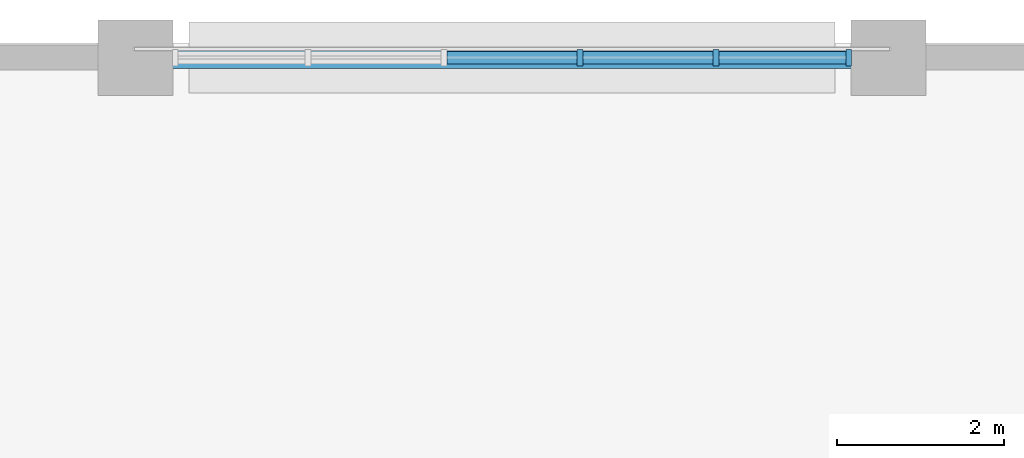
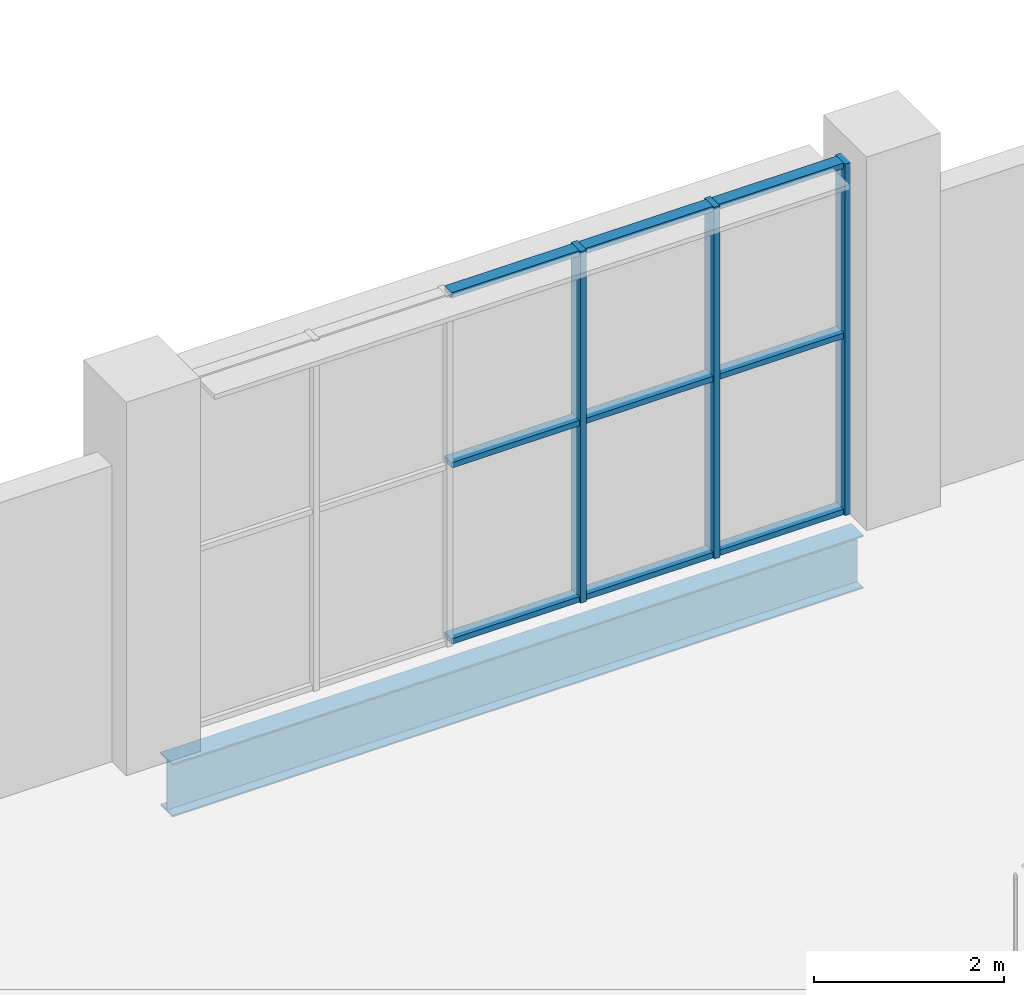
# One storey, part 67 of 183: 12 members, 1 beam, 1 element without a shape of its own.
"""IFC4 building model written with IfcOpenShell, lengths in metres."""

import ifcopenshell
import ifcopenshell.guid

model = None  # the IFC model being written
_history = None  # IfcOwnerHistory: only IFC2X3 demands one
_inside = {}  # id of a spatial element -> (the spatial element, [elements in it])
_under = {}  # id of a project, library or spatial element -> (it, [spatial elements below it])
_declared = {}  # id of a project -> (the project, [libraries it declares])
_typed = {}  # id of a type object -> (the type object, [elements of that type])
_made_of = {}  # id of a material, layer set ... -> (it, [elements and type objects made of it])


def new_model(schema):
    """Start an empty IFC model of exactly this schema.

    Asked for "IFC4X3", IfcOpenShell would pick the latest addendum, in which some entities
    have other attributes; the version numbers below select the first issue.
    IFC2X3 requires an IfcOwnerHistory on every rooted entity: one is made here for all.
    """
    global model, _history
    if schema == "IFC4X3":
        model = ifcopenshell.file(schema_version=(4, 3, 0, 0))
    else:
        model = ifcopenshell.file(schema=schema)
    _inside.clear()
    _under.clear()
    _declared.clear()
    _typed.clear()
    _made_of.clear()
    _history = None
    if model.schema == "IFC2X3":
        org = make("IfcOrganization", Name="unknown")
        user = make(
            "IfcPersonAndOrganization",
            ThePerson=make("IfcPerson", FamilyName="unknown"),
            TheOrganization=org,
        )
        app = make(
            "IfcApplication",
            ApplicationDeveloper=org,
            Version="unknown",
            ApplicationFullName="unknown",
            ApplicationIdentifier="unknown",
        )
        _history = make(
            "IfcOwnerHistory",
            OwningUser=user,
            OwningApplication=app,
            ChangeAction="ADDED",
            CreationDate=0,
        )
    return model


def make(cls, **values):
    """One entity of the class cls with the attributes given. An attribute that is None is left unset."""
    return model.create_entity(
        cls, **{name: value for name, value in values.items() if value is not None}
    )


def rooted(cls, **values):
    """An entity with a GlobalId (a new one), such as an element, a storey or a relation."""
    return make(cls, GlobalId=ifcopenshell.guid.new(), OwnerHistory=_history, **values)


def si_unit(unit_type, name, prefix=None):
    """IfcSIUnit, for example si_unit("LENGTHUNIT", "METRE", prefix="MILLI")."""
    return make("IfcSIUnit", UnitType=unit_type, Prefix=prefix, Name=name)


def assignment(units):
    """IfcUnitAssignment: the units of a project."""
    return None if units is None else make("IfcUnitAssignment", Units=units)


def point(xyz):
    """IfcCartesianPoint."""
    return None if xyz is None else make("IfcCartesianPoint", Coordinates=xyz)


def direction(xyz):
    """IfcDirection."""
    return None if xyz is None else make("IfcDirection", DirectionRatios=xyz)


def frame(location, z_axis=None, x_axis=None):
    """IfcAxis2Placement3D, a coordinate frame: its origin and axes. An axis left out is left unset."""
    return make(
        "IfcAxis2Placement3D",
        Location=point(location),
        Axis=direction(z_axis),
        RefDirection=direction(x_axis),
    )


def frame_2d(location, x_axis=None):
    """IfcAxis2Placement2D, a coordinate frame in the plane: its origin and x axis."""
    return make(
        "IfcAxis2Placement2D", Location=point(location), RefDirection=direction(x_axis)
    )


def origin():
    """The frame at (0, 0, 0) with its axes left unset."""
    return frame((0.0, 0.0, 0.0))


def origin_2d():
    """The frame at (0, 0) in the plane with its x axis left unset."""
    return frame_2d((0.0, 0.0))


def place(relative_to, where):
    """IfcLocalPlacement: puts the frame where relative to a parent placement (None: the world)."""
    return make(
        "IfcLocalPlacement", PlacementRelTo=relative_to, RelativePlacement=where
    )


def context(
    kind, dimensions, precision=None, world=None, true_north=None, identifier=None
):
    """IfcGeometricRepresentationContext, for example the 3D "Model" context."""
    return make(
        "IfcGeometricRepresentationContext",
        ContextIdentifier=identifier,
        ContextType=kind,
        CoordinateSpaceDimension=dimensions,
        Precision=precision,
        WorldCoordinateSystem=world,
        TrueNorth=true_north,
    )


def subcontext(parent, identifier, kind, view, scale=None):
    """IfcGeometricRepresentationSubContext, for example "Body" below "Model"."""
    return make(
        "IfcGeometricRepresentationSubContext",
        ContextIdentifier=identifier,
        ContextType=kind,
        ParentContext=parent,
        TargetScale=scale,
        TargetView=view,
    )


def project(units=None, contexts=None):
    """IfcProject with its units and contexts."""
    return rooted(
        "IfcProject",
        Name="project",
        RepresentationContexts=contexts,
        UnitsInContext=assignment(units),
    )


def spatial(cls, under=None, at=None, **own):
    """A site, building, storey or space (cls), placed at a placement, below another one or the project."""
    s = rooted(cls, ObjectPlacement=at, **own)
    if under is not None:
        _under.setdefault(under.id(), (under, []))[1].append(s)
    return s


def profile(cls, at=None, kind="AREA", **sizes):
    """A parametric profile (cls). Its sizes go by their IFC names, for example OverallWidth=200.0."""
    return make(cls, ProfileType=kind, Position=at, **sizes)


def rectangle(**sizes):
    """IfcRectangleProfileDef."""
    return profile("IfcRectangleProfileDef", **sizes)


def i_section(**sizes):
    """IfcIShapeProfileDef."""
    return profile("IfcIShapeProfileDef", **sizes)


def extrude(swept, where, along, depth):
    """IfcExtrudedAreaSolid: the profile swept, set in the frame where, extruded along a direction by depth."""
    return make(
        "IfcExtrudedAreaSolid",
        SweptArea=swept,
        Position=where,
        ExtrudedDirection=direction(along),
        Depth=depth,
    )


def shape(context_of_items, identifier, shape_type, items):
    """IfcShapeRepresentation: the items that make up one representation, for example the "Body"."""
    return make(
        "IfcShapeRepresentation",
        ContextOfItems=context_of_items,
        RepresentationIdentifier=identifier,
        RepresentationType=shape_type,
        Items=items,
    )


def material(Name=None, Category=None):
    """IfcMaterial."""
    return make("IfcMaterial", Name=Name, Category=Category)


def material_profile(
    of_material, cross_section, Name=None, Category=None, Priority=None
):
    """IfcMaterialProfile: a cross section and its material."""
    return make(
        "IfcMaterialProfile",
        Name=Name,
        Material=of_material,
        Profile=cross_section,
        Priority=Priority,
        Category=Category,
    )


def profile_set(profiles, Name=None, composite=None):
    """IfcMaterialProfileSet."""
    return make(
        "IfcMaterialProfileSet",
        Name=Name,
        MaterialProfiles=profiles,
        CompositeProfile=composite,
    )


def made_of(thing, what):
    """Note that an element or type object is made of a material, layer set ...; save() writes the relation."""
    if what is not None:
        _made_of.setdefault(what.id(), (what, []))[1].append(thing)
    return thing


def type_object(cls, material=None, **own):
    """A type object (cls), such as IfcWallType, which elements share."""
    return made_of(rooted(cls, **own), material)


def element(
    cls,
    number,
    at=None,
    inside=None,
    cuts=None,
    type_object=None,
    material=None,
    context=None,
    identifier="Body",
    shape_type=None,
    held_by="IfcProductDefinitionShape",
    body=None,
    shapes=None,
    **own,
):
    """One element of the class cls, such as IfcWall. Its Tag is "e" and its number.

    at: its placement. inside: the storey or other place that contains it. cuts: it is an
    opening in that element (IfcRelVoidsElement). A single representation is given by context,
    identifier, shape_type and body (its items); several are given by shapes. held_by: the class
    of the entity that holds the representations. save() writes the other relations.
    """
    e = rooted(cls, Tag="e%d" % number, ObjectPlacement=at, **own)
    if body is not None:
        shapes = [shape(context, identifier, shape_type, body)]
    if shapes is not None:
        e.Representation = make(held_by, Representations=shapes)
    if inside is not None:
        _inside.setdefault(inside.id(), (inside, []))[1].append(e)
    if cuts is not None:
        rooted(
            "IfcRelVoidsElement", RelatingBuildingElement=cuts, RelatedOpeningElement=e
        )
    if type_object is not None:
        _typed.setdefault(type_object.id(), (type_object, []))[1].append(e)
    return made_of(e, material)


def aggregate(whole, parts):
    """IfcRelAggregates: a whole, such as a stair, and the parts it consists of."""
    return rooted("IfcRelAggregates", RelatingObject=whole, RelatedObjects=parts)


def save(model, path):
    """Write the relations noted so far, then the file.

    IfcRelAggregates (storeys below a building ...), IfcRelContainedInSpatialStructure (elements
    in a storey), IfcRelDefinesByType, IfcRelAssociatesMaterial and IfcRelDeclares: one each for
    every whole, place, type object, material and project.
    """
    for whole, parts in _under.values():
        aggregate(whole, parts)
    for where, things in _inside.values():
        rooted(
            "IfcRelContainedInSpatialStructure",
            RelatedElements=things,
            RelatingStructure=where,
        )
    for kind, things in _typed.values():
        rooted("IfcRelDefinesByType", RelatedObjects=things, RelatingType=kind)
    for what, things in _made_of.values():
        rooted("IfcRelAssociatesMaterial", RelatedObjects=things, RelatingMaterial=what)
    for by, libraries in _declared.values():
        rooted("IfcRelDeclares", RelatingContext=by, RelatedDefinitions=libraries)
    model.write(path)


model = new_model("IFC4")

# Units and contexts
model_context = context("Model", 3, precision=1e-05, world=origin(), true_north=direction((0.0, 1.0)))
body_context = subcontext(model_context, "Body", "Model", "MODEL_VIEW")
ifc_project = project(units=[si_unit("LENGTHUNIT", "METRE"), si_unit("AREAUNIT", "SQUARE_METRE"), si_unit("VOLUMEUNIT", "CUBIC_METRE"), si_unit("PLANEANGLEUNIT", "RADIAN"), si_unit("MASSUNIT", "GRAM", prefix="KILO")], contexts=[model_context])

# Site, building, storey
site_placement = place(None, origin())
site = spatial("IfcSite", under=ifc_project, at=site_placement, CompositionType="ELEMENT")
building_placement = place(site_placement, origin())
building = spatial("IfcBuilding", under=site, at=building_placement, Name="Zevraka Park Crest Stadium", CompositionType="ELEMENT")
storey_placement = place(building_placement, frame((0.0, 0.0, 5.39990234375)))
storey = spatial("IfcBuildingStorey", under=building, at=storey_placement, Name="L01", CompositionType="ELEMENT", Elevation=5.39990234375)

# Beam
ifc_material_1 = material(Name="Steel S355", Category="steel")
ifc_material_profile_1 = material_profile(ifc_material_1, i_section(OverallWidth=0.253662109375, OverallDepth=0.68359375, WebThickness=0.012451171875, FlangeThickness=0.01904296875, at=origin_2d()), Name="UKB 686x254x140")
ifc_profile_set_1 = profile_set([ifc_material_profile_1], Name="Steel S355")
beam_type = type_object("IfcBeamType", Name="BG05", PredefinedType="BEAM", material=ifc_profile_set_1)
beam_placement = place(storey_placement, frame((179.300048828125, 184.0, -0.649658203125), z_axis=(1.0, 0.0, 0.0), x_axis=(0.0, 1.0, 0.0)))
element("IfcBeam", 1, at=beam_placement, inside=storey, type_object=beam_type, Name="Wing Girder BG05 L01-2021/W", PredefinedType="BEAM", context=body_context, shape_type="SweptSolid", body=[
    extrude(i_section(OverallWidth=0.253662109375, OverallDepth=0.68359375, WebThickness=0.012451171875, FlangeThickness=0.01904296875, at=origin_2d()), origin(), (0.0, 0.0, 1.0), 8.39990234375),
])

# Curtain wall, members
ifc_material_2 = material(Name="Anodised architectural aluminium and laminated safety glass", Category="aluminium")
curtain_wall_type = type_object("IfcCurtainWallType", Name="CW30", PredefinedType="NOTDEFINED", material=ifc_material_2)
curtain_wall_placement = place(storey_placement, origin())
curtain_wall = element("IfcCurtainWall", 2, at=curtain_wall_placement, inside=storey, type_object=curtain_wall_type, Name="Wing Curtain Wall CW30 L01-NGATE-N-4", PredefinedType="NOTDEFINED")
ifc_material_3 = material(Name="Anodised architectural aluminium", Category="aluminium")
ifc_material_profile_2 = material_profile(ifc_material_3, rectangle(XDim=0.199951171875, YDim=0.070068359375, at=origin_2d()), Name="ALU MULLION 200x70")
ifc_profile_set_2 = profile_set([ifc_material_profile_2], Name="Anodised architectural aluminium")
member_type_1 = type_object("IfcMemberType", Name="CM03", PredefinedType="MULLION", material=ifc_profile_set_2)
member_1_placement = place(storey_placement, frame((184.31201171875, 184.0, 0.0), z_axis=(0.0, 0.0, 1.0), x_axis=(0.0, 1.0, 0.0)))
member_1 = element("IfcMember", 3, at=member_1_placement, type_object=member_type_1, Name="CW30 mullion 4", PredefinedType="MULLION", context=body_context, shape_type="SweptSolid", body=[
    extrude(rectangle(XDim=0.199951171875, YDim=0.070068359375, at=origin_2d()), origin(), (0.0, 0.0, 1.0), 4.52001953125),
])
member_2_placement = place(storey_placement, frame((185.93603515625, 184.0, 0.0), z_axis=(0.0, 0.0, 1.0), x_axis=(0.0, 1.0, 0.0)))
member_2 = element("IfcMember", 4, at=member_2_placement, type_object=member_type_1, Name="CW30 mullion 5", PredefinedType="MULLION", context=body_context, shape_type="SweptSolid", body=[
    extrude(rectangle(XDim=0.199951171875, YDim=0.070068359375, at=origin_2d()), origin(), (0.0, 0.0, 1.0), 4.52001953125),
])
member_3_placement = place(storey_placement, frame((187.52490234375, 184.0, 0.0), z_axis=(0.0, 0.0, 1.0), x_axis=(0.0, 1.0, 0.0)))
member_3 = element("IfcMember", 5, at=member_3_placement, type_object=member_type_1, Name="CW30 mullion 6", PredefinedType="MULLION", context=body_context, shape_type="SweptSolid", body=[
    extrude(rectangle(XDim=0.199951171875, YDim=0.070068359375, at=origin_2d()), origin(), (0.0, 0.0, 1.0), 4.52001953125),
])
ifc_material_4 = material(Name="Anodised architectural aluminium", Category="aluminium")
ifc_material_profile_3 = material_profile(ifc_material_4, rectangle(XDim=0.14990234375, YDim=0.070068359375, at=origin_2d()), Name="ALU TRANSOM 150x70")
ifc_profile_set_3 = profile_set([ifc_material_profile_3], Name="Anodised architectural aluminium")
member_type_2 = type_object("IfcMemberType", Name="CT03", PredefinedType="USERDEFINED", material=ifc_profile_set_3)
member_4_placement = place(storey_placement, frame((182.722900390625, 184.0, 0.03515625), z_axis=(1.0, 0.0, 0.0), x_axis=(0.0, 1.0, 0.0)))
member_4 = element("IfcMember", 6, at=member_4_placement, type_object=member_type_2, Name="CW30 transom 3.1", ObjectType="TRANSOM", PredefinedType="USERDEFINED", context=body_context, shape_type="SweptSolid", body=[
    extrude(rectangle(XDim=0.14990234375, YDim=0.070068359375, at=origin_2d()), origin(), (0.0, 0.0, 1.0), 1.55419921875),
])
member_5_placement = place(storey_placement, frame((182.722900390625, 184.0, 2.300048828125), z_axis=(1.0, 0.0, 0.0), x_axis=(0.0, 1.0, 0.0)))
member_5 = element("IfcMember", 7, at=member_5_placement, type_object=member_type_2, Name="CW30 transom 3.2", ObjectType="TRANSOM", PredefinedType="USERDEFINED", context=body_context, shape_type="SweptSolid", body=[
    extrude(rectangle(XDim=0.14990234375, YDim=0.070068359375, at=origin_2d()), origin(), (0.0, 0.0, 1.0), 1.55419921875),
])
member_6_placement = place(storey_placement, frame((182.722900390625, 184.0, 4.485107421875), z_axis=(1.0, 0.0, 0.0), x_axis=(0.0, 1.0, 0.0)))
member_6 = element("IfcMember", 8, at=member_6_placement, type_object=member_type_2, Name="CW30 transom 3.3", ObjectType="TRANSOM", PredefinedType="USERDEFINED", context=body_context, shape_type="SweptSolid", body=[
    extrude(rectangle(XDim=0.14990234375, YDim=0.070068359375, at=origin_2d()), origin(), (0.0, 0.0, 1.0), 1.55419921875),
])
member_7_placement = place(storey_placement, frame((184.346923828125, 184.0, 0.03515625), z_axis=(1.0, 0.0, 0.0), x_axis=(0.0, 1.0, 0.0)))
member_7 = element("IfcMember", 9, at=member_7_placement, type_object=member_type_2, Name="CW30 transom 4.1", ObjectType="TRANSOM", PredefinedType="USERDEFINED", context=body_context, shape_type="SweptSolid", body=[
    extrude(rectangle(XDim=0.14990234375, YDim=0.070068359375, at=origin_2d()), origin(), (0.0, 0.0, 1.0), 1.553955078125),
])
member_8_placement = place(storey_placement, frame((184.346923828125, 184.0, 2.300048828125), z_axis=(1.0, 0.0, 0.0), x_axis=(0.0, 1.0, 0.0)))
member_8 = element("IfcMember", 10, at=member_8_placement, type_object=member_type_2, Name="CW30 transom 4.2", ObjectType="TRANSOM", PredefinedType="USERDEFINED", context=body_context, shape_type="SweptSolid", body=[
    extrude(rectangle(XDim=0.14990234375, YDim=0.070068359375, at=origin_2d()), origin(), (0.0, 0.0, 1.0), 1.553955078125),
])
member_9_placement = place(storey_placement, frame((184.346923828125, 184.0, 4.485107421875), z_axis=(1.0, 0.0, 0.0), x_axis=(0.0, 1.0, 0.0)))
member_9 = element("IfcMember", 11, at=member_9_placement, type_object=member_type_2, Name="CW30 transom 4.3", ObjectType="TRANSOM", PredefinedType="USERDEFINED", context=body_context, shape_type="SweptSolid", body=[
    extrude(rectangle(XDim=0.14990234375, YDim=0.070068359375, at=origin_2d()), origin(), (0.0, 0.0, 1.0), 1.553955078125),
])
member_10_placement = place(storey_placement, frame((185.970947265625, 184.0, 0.03515625), z_axis=(1.0, 0.0, 0.0), x_axis=(0.0, 1.0, 0.0)))
member_10 = element("IfcMember", 12, at=member_10_placement, type_object=member_type_2, Name="CW30 transom 5.1", ObjectType="TRANSOM", PredefinedType="USERDEFINED", context=body_context, shape_type="SweptSolid", body=[
    extrude(rectangle(XDim=0.14990234375, YDim=0.070068359375, at=origin_2d()), origin(), (0.0, 0.0, 1.0), 1.51904296875),
])
member_11_placement = place(storey_placement, frame((185.970947265625, 184.0, 2.300048828125), z_axis=(1.0, 0.0, 0.0), x_axis=(0.0, 1.0, 0.0)))
member_11 = element("IfcMember", 13, at=member_11_placement, type_object=member_type_2, Name="CW30 transom 5.2", ObjectType="TRANSOM", PredefinedType="USERDEFINED", context=body_context, shape_type="SweptSolid", body=[
    extrude(rectangle(XDim=0.14990234375, YDim=0.070068359375, at=origin_2d()), origin(), (0.0, 0.0, 1.0), 1.51904296875),
])
member_12_placement = place(storey_placement, frame((185.970947265625, 184.0, 4.485107421875), z_axis=(1.0, 0.0, 0.0), x_axis=(0.0, 1.0, 0.0)))
member_12 = element("IfcMember", 14, at=member_12_placement, type_object=member_type_2, Name="CW30 transom 5.3", ObjectType="TRANSOM", PredefinedType="USERDEFINED", context=body_context, shape_type="SweptSolid", body=[
    extrude(rectangle(XDim=0.14990234375, YDim=0.070068359375, at=origin_2d()), origin(), (0.0, 0.0, 1.0), 1.51904296875),
])
aggregate(curtain_wall, [member_1, member_2, member_3, member_4, member_5, member_6, member_7, member_8, member_9, member_10, member_11, member_12])

save(model, "model.ifc")
